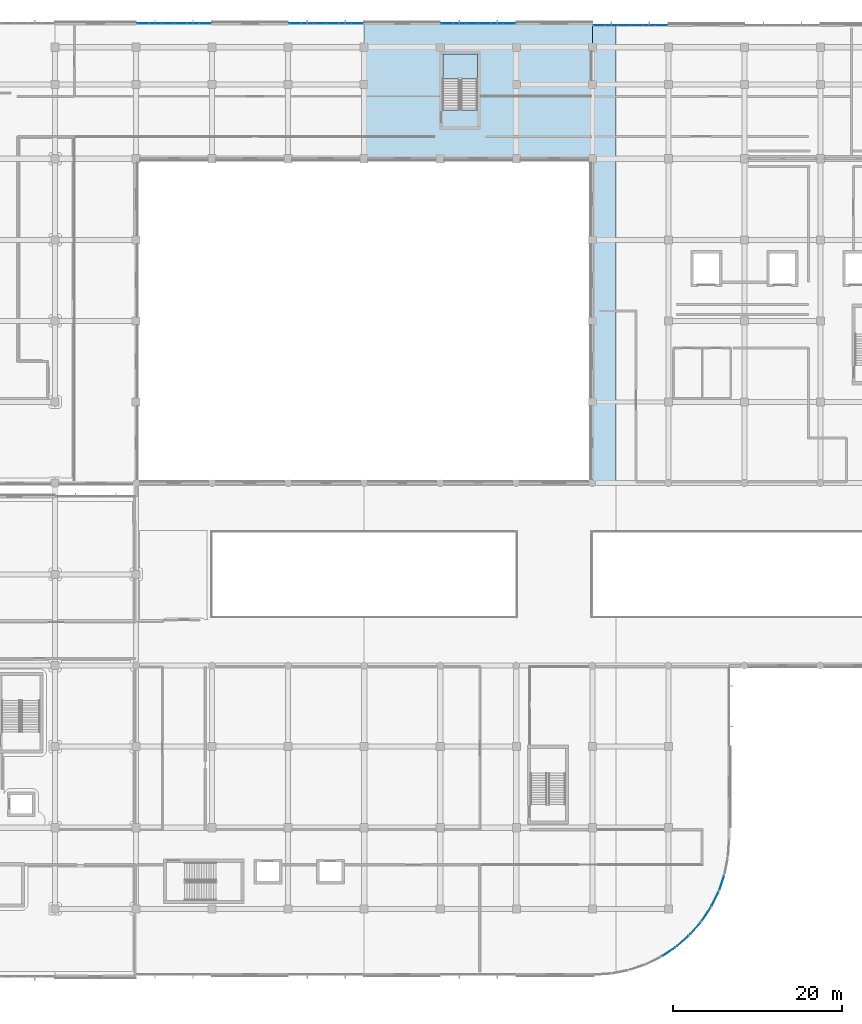
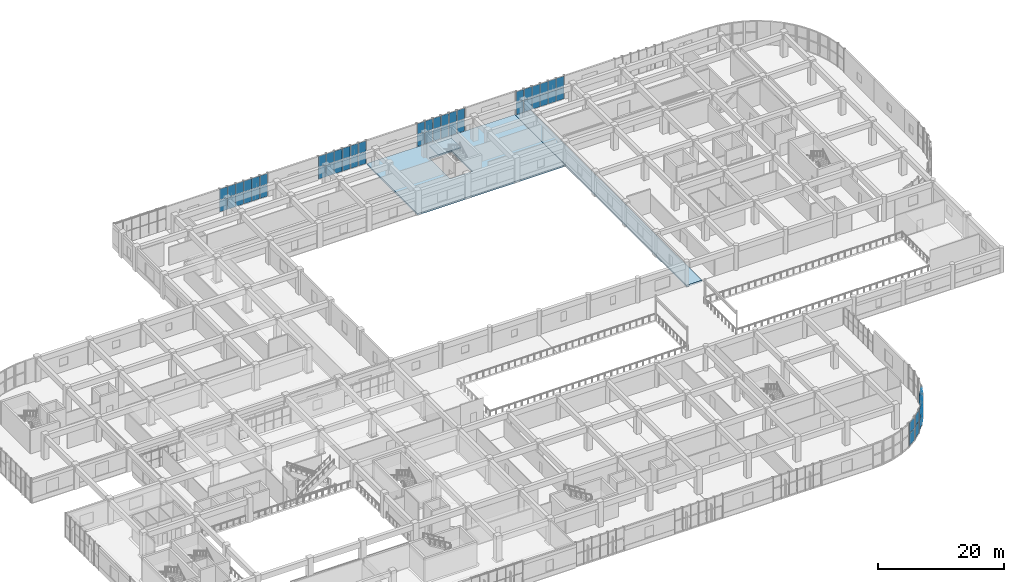
# One storey, part 47 of 86: 59 plates, 3 slabs, 11 elements without a shape of their own.
"""IFC4 building model written with IfcOpenShell, lengths in metres."""

import ifcopenshell
import ifcopenshell.guid

model = None  # the IFC model being written
_history = None  # IfcOwnerHistory: only IFC2X3 demands one
_inside = {}  # id of a spatial element -> (the spatial element, [elements in it])
_under = {}  # id of a project, library or spatial element -> (it, [spatial elements below it])
_declared = {}  # id of a project -> (the project, [libraries it declares])
_typed = {}  # id of a type object -> (the type object, [elements of that type])
_made_of = {}  # id of a material, layer set ... -> (it, [elements and type objects made of it])


def new_model(schema):
    """Start an empty IFC model of exactly this schema.

    Asked for "IFC4X3", IfcOpenShell would pick the latest addendum, in which some entities
    have other attributes; the version numbers below select the first issue.
    IFC2X3 requires an IfcOwnerHistory on every rooted entity: one is made here for all.
    """
    global model, _history
    if schema == "IFC4X3":
        model = ifcopenshell.file(schema_version=(4, 3, 0, 0))
    else:
        model = ifcopenshell.file(schema=schema)
    _inside.clear()
    _under.clear()
    _declared.clear()
    _typed.clear()
    _made_of.clear()
    _history = None
    if model.schema == "IFC2X3":
        org = make("IfcOrganization", Name="unknown")
        user = make(
            "IfcPersonAndOrganization",
            ThePerson=make("IfcPerson", FamilyName="unknown"),
            TheOrganization=org,
        )
        app = make(
            "IfcApplication",
            ApplicationDeveloper=org,
            Version="unknown",
            ApplicationFullName="unknown",
            ApplicationIdentifier="unknown",
        )
        _history = make(
            "IfcOwnerHistory",
            OwningUser=user,
            OwningApplication=app,
            ChangeAction="ADDED",
            CreationDate=0,
        )
    return model


def make(cls, **values):
    """One entity of the class cls with the attributes given. An attribute that is None is left unset."""
    return model.create_entity(
        cls, **{name: value for name, value in values.items() if value is not None}
    )


def rooted(cls, **values):
    """An entity with a GlobalId (a new one), such as an element, a storey or a relation."""
    return make(cls, GlobalId=ifcopenshell.guid.new(), OwnerHistory=_history, **values)


def si_unit(unit_type, name, prefix=None):
    """IfcSIUnit, for example si_unit("LENGTHUNIT", "METRE", prefix="MILLI")."""
    return make("IfcSIUnit", UnitType=unit_type, Prefix=prefix, Name=name)


def assignment(units):
    """IfcUnitAssignment: the units of a project."""
    return None if units is None else make("IfcUnitAssignment", Units=units)


def point(xyz):
    """IfcCartesianPoint."""
    return None if xyz is None else make("IfcCartesianPoint", Coordinates=xyz)


def direction(xyz):
    """IfcDirection."""
    return None if xyz is None else make("IfcDirection", DirectionRatios=xyz)


def frame(location, z_axis=None, x_axis=None):
    """IfcAxis2Placement3D, a coordinate frame: its origin and axes. An axis left out is left unset."""
    return make(
        "IfcAxis2Placement3D",
        Location=point(location),
        Axis=direction(z_axis),
        RefDirection=direction(x_axis),
    )


def frame_2d(location, x_axis=None):
    """IfcAxis2Placement2D, a coordinate frame in the plane: its origin and x axis."""
    return make(
        "IfcAxis2Placement2D", Location=point(location), RefDirection=direction(x_axis)
    )


def origin():
    """The frame at (0, 0, 0) with its axes left unset."""
    return frame((0.0, 0.0, 0.0))


def origin_2d():
    """The frame at (0, 0) in the plane with its x axis left unset."""
    return frame_2d((0.0, 0.0))


def place(relative_to, where):
    """IfcLocalPlacement: puts the frame where relative to a parent placement (None: the world)."""
    return make(
        "IfcLocalPlacement", PlacementRelTo=relative_to, RelativePlacement=where
    )


def context(
    kind, dimensions, precision=None, world=None, true_north=None, identifier=None
):
    """IfcGeometricRepresentationContext, for example the 3D "Model" context."""
    return make(
        "IfcGeometricRepresentationContext",
        ContextIdentifier=identifier,
        ContextType=kind,
        CoordinateSpaceDimension=dimensions,
        Precision=precision,
        WorldCoordinateSystem=world,
        TrueNorth=true_north,
    )


def subcontext(parent, identifier, kind, view, scale=None):
    """IfcGeometricRepresentationSubContext, for example "Body" below "Model"."""
    return make(
        "IfcGeometricRepresentationSubContext",
        ContextIdentifier=identifier,
        ContextType=kind,
        ParentContext=parent,
        TargetScale=scale,
        TargetView=view,
    )


def project(units=None, contexts=None):
    """IfcProject with its units and contexts."""
    return rooted(
        "IfcProject",
        Name="project",
        RepresentationContexts=contexts,
        UnitsInContext=assignment(units),
    )


def spatial(cls, under=None, at=None, **own):
    """A site, building, storey or space (cls), placed at a placement, below another one or the project."""
    s = rooted(cls, ObjectPlacement=at, **own)
    if under is not None:
        _under.setdefault(under.id(), (under, []))[1].append(s)
    return s


def polyline(points):
    """IfcPolyline through the points."""
    return make("IfcPolyline", Points=[point(p) for p in points])


def profile(cls, at=None, kind="AREA", **sizes):
    """A parametric profile (cls). Its sizes go by their IFC names, for example OverallWidth=200.0."""
    return make(cls, ProfileType=kind, Position=at, **sizes)


def rectangle(**sizes):
    """IfcRectangleProfileDef."""
    return profile("IfcRectangleProfileDef", **sizes)


def outline(outer, holes=None, kind="AREA"):
    """IfcArbitraryClosedProfileDef: a profile drawn as a closed curve; with holes, ...WithVoids."""
    if holes is None:
        return make("IfcArbitraryClosedProfileDef", ProfileType=kind, OuterCurve=outer)
    return make(
        "IfcArbitraryProfileDefWithVoids",
        ProfileType=kind,
        OuterCurve=outer,
        InnerCurves=holes,
    )


def extrude(swept, where, along, depth):
    """IfcExtrudedAreaSolid: the profile swept, set in the frame where, extruded along a direction by depth."""
    return make(
        "IfcExtrudedAreaSolid",
        SweptArea=swept,
        Position=where,
        ExtrudedDirection=direction(along),
        Depth=depth,
    )


def shape(context_of_items, identifier, shape_type, items):
    """IfcShapeRepresentation: the items that make up one representation, for example the "Body"."""
    return make(
        "IfcShapeRepresentation",
        ContextOfItems=context_of_items,
        RepresentationIdentifier=identifier,
        RepresentationType=shape_type,
        Items=items,
    )


def material(Name=None, Category=None):
    """IfcMaterial."""
    return make("IfcMaterial", Name=Name, Category=Category)


def layer(
    of_material, thickness, ventilated=None, Name=None, Category=None, Priority=None
):
    """IfcMaterialLayer: one layer of a wall or slab, of a material (None: an air gap)."""
    return make(
        "IfcMaterialLayer",
        Material=of_material,
        LayerThickness=thickness,
        IsVentilated=ventilated,
        Name=Name,
        Category=Category,
        Priority=Priority,
    )


def layer_set(layers, Name=None):
    """IfcMaterialLayerSet."""
    return make("IfcMaterialLayerSet", MaterialLayers=layers, LayerSetName=Name)


def made_of(thing, what):
    """Note that an element or type object is made of a material, layer set ...; save() writes the relation."""
    if what is not None:
        _made_of.setdefault(what.id(), (what, []))[1].append(thing)
    return thing


def type_object(cls, material=None, **own):
    """A type object (cls), such as IfcWallType, which elements share."""
    return made_of(rooted(cls, **own), material)


def element(
    cls,
    number,
    at=None,
    inside=None,
    cuts=None,
    type_object=None,
    material=None,
    context=None,
    identifier="Body",
    shape_type=None,
    held_by="IfcProductDefinitionShape",
    body=None,
    shapes=None,
    **own,
):
    """One element of the class cls, such as IfcWall. Its Tag is "e" and its number.

    at: its placement. inside: the storey or other place that contains it. cuts: it is an
    opening in that element (IfcRelVoidsElement). A single representation is given by context,
    identifier, shape_type and body (its items); several are given by shapes. held_by: the class
    of the entity that holds the representations. save() writes the other relations.
    """
    e = rooted(cls, Tag="e%d" % number, ObjectPlacement=at, **own)
    if body is not None:
        shapes = [shape(context, identifier, shape_type, body)]
    if shapes is not None:
        e.Representation = make(held_by, Representations=shapes)
    if inside is not None:
        _inside.setdefault(inside.id(), (inside, []))[1].append(e)
    if cuts is not None:
        rooted(
            "IfcRelVoidsElement", RelatingBuildingElement=cuts, RelatedOpeningElement=e
        )
    if type_object is not None:
        _typed.setdefault(type_object.id(), (type_object, []))[1].append(e)
    return made_of(e, material)


def aggregate(whole, parts):
    """IfcRelAggregates: a whole, such as a stair, and the parts it consists of."""
    return rooted("IfcRelAggregates", RelatingObject=whole, RelatedObjects=parts)


def save(model, path):
    """Write the relations noted so far, then the file.

    IfcRelAggregates (storeys below a building ...), IfcRelContainedInSpatialStructure (elements
    in a storey), IfcRelDefinesByType, IfcRelAssociatesMaterial and IfcRelDeclares: one each for
    every whole, place, type object, material and project.
    """
    for whole, parts in _under.values():
        aggregate(whole, parts)
    for where, things in _inside.values():
        rooted(
            "IfcRelContainedInSpatialStructure",
            RelatedElements=things,
            RelatingStructure=where,
        )
    for kind, things in _typed.values():
        rooted("IfcRelDefinesByType", RelatedObjects=things, RelatingType=kind)
    for what, things in _made_of.values():
        rooted("IfcRelAssociatesMaterial", RelatedObjects=things, RelatingMaterial=what)
    for by, libraries in _declared.values():
        rooted("IfcRelDeclares", RelatingContext=by, RelatedDefinitions=libraries)
    model.write(path)


model = new_model("IFC4")

# Units and contexts
model_context = context("Model", 3, precision=1e-05, world=origin(), true_north=direction((0.0, 1.0)))
body_context = subcontext(model_context, "Body", "Model", "MODEL_VIEW")
ifc_project = project(units=[si_unit("LENGTHUNIT", "METRE"), si_unit("AREAUNIT", "SQUARE_METRE"), si_unit("VOLUMEUNIT", "CUBIC_METRE"), si_unit("PLANEANGLEUNIT", "RADIAN"), si_unit("MASSUNIT", "GRAM", prefix="KILO")], contexts=[model_context])

# Site, building, storey
site_placement = place(None, origin())
site = spatial("IfcSite", under=ifc_project, at=site_placement, CompositionType="ELEMENT")
building_placement = place(site_placement, origin())
building = spatial("IfcBuilding", under=site, at=building_placement, Name="Cendralis Terraced Arcade", CompositionType="ELEMENT")
storey_placement = place(building_placement, frame((0.0, 0.0, 5.39990234375)))
storey = spatial("IfcBuildingStorey", under=building, at=storey_placement, Name="L01", CompositionType="ELEMENT", Elevation=5.39990234375)

# Curtain wall, plates
ifc_material_1 = material(Name="Anodised aluminium EN AW-6063 T6", Category="aluminium")
ifc_layer_1 = layer(ifc_material_1, 0.1201171875, Name="CW-STORE-B")
ifc_layer_set_1 = layer_set([ifc_layer_1], Name="Anodised aluminium EN AW-6063 T6")
curtain_wall_type_1 = type_object("IfcCurtainWallType", Name="CW-STORE-B", PredefinedType="USERDEFINED", material=ifc_layer_set_1)
curtain_wall_1_placement = place(storey_placement, origin())
curtain_wall_1 = element("IfcCurtainWall", 1, at=curtain_wall_1_placement, inside=storey, type_object=curtain_wall_type_1, Name="Exterior Storefront Glazing CW-L01-0051", ObjectType="STOREFRONT GLAZING", PredefinedType="USERDEFINED")
ifc_material_2 = material(Name="Tempered solar control laminated glass", Category="glass")
ifc_layer_2 = layer(ifc_material_2, 0.02392578125, Name="CW-STORE-B-PNL")
ifc_layer_set_2 = layer_set([ifc_layer_2], Name="Tempered solar control laminated glass")
plate_type_1 = type_object("IfcPlateType", Name="CW-STORE-B-PNL", PredefinedType="CURTAIN_PANEL", material=ifc_layer_set_2)
plate_1_placement = place(storey_placement, frame((68.038818359375, 114.39990234375, 0.05517578125), z_axis=(0.0, 0.0, 1.0), x_axis=(1.0, 0.0, 0.0)))
plate_1 = element("IfcPlate", 2, at=plate_1_placement, type_object=plate_type_1, Name="CW-S2 panel 1.1", PredefinedType="CURTAIN_PANEL", context=body_context, shape_type="SweptSolid", body=[
    extrude(rectangle(XDim=1.387451171875, YDim=0.02392578125, at=origin_2d()), origin(), (0.0, 0.0, 1.0), 2.260009765625),
])
plate_2_placement = place(storey_placement, frame((68.038818359375, 114.39990234375, 2.3701171875), z_axis=(0.0, 0.0, 1.0), x_axis=(1.0, 0.0, 0.0)))
plate_2 = element("IfcPlate", 3, at=plate_2_placement, type_object=plate_type_1, Name="CW-S2 panel 1.2", PredefinedType="CURTAIN_PANEL", context=body_context, shape_type="SweptSolid", body=[
    extrude(rectangle(XDim=1.387451171875, YDim=0.02392578125, at=origin_2d()), origin(), (0.0, 0.0, 1.0), 2.079833984375),
])
plate_3_placement = place(storey_placement, frame((69.4951171875, 114.39990234375, 0.05517578125), z_axis=(0.0, 0.0, 1.0), x_axis=(1.0, 0.0, 0.0)))
plate_3 = element("IfcPlate", 4, at=plate_3_placement, type_object=plate_type_1, Name="CW-S2 panel 2.1", PredefinedType="CURTAIN_PANEL", context=body_context, shape_type="SweptSolid", body=[
    extrude(rectangle(XDim=1.4150390625, YDim=0.02392578125, at=origin_2d()), origin(), (0.0, 0.0, 1.0), 2.260009765625),
])
plate_4_placement = place(storey_placement, frame((69.4951171875, 114.39990234375, 2.3701171875), z_axis=(0.0, 0.0, 1.0), x_axis=(1.0, 0.0, 0.0)))
plate_4 = element("IfcPlate", 5, at=plate_4_placement, type_object=plate_type_1, Name="CW-S2 panel 2.2", PredefinedType="CURTAIN_PANEL", context=body_context, shape_type="SweptSolid", body=[
    extrude(rectangle(XDim=1.4150390625, YDim=0.02392578125, at=origin_2d()), origin(), (0.0, 0.0, 1.0), 2.079833984375),
])
plate_5_placement = place(storey_placement, frame((70.965087890625, 114.39990234375, 0.05517578125), z_axis=(0.0, 0.0, 1.0), x_axis=(1.0, 0.0, 0.0)))
plate_5 = element("IfcPlate", 6, at=plate_5_placement, type_object=plate_type_1, Name="CW-S2 panel 3.1", PredefinedType="CURTAIN_PANEL", context=body_context, shape_type="SweptSolid", body=[
    extrude(rectangle(XDim=1.4150390625, YDim=0.02392578125, at=origin_2d()), origin(), (0.0, 0.0, 1.0), 2.260009765625),
])
plate_6_placement = place(storey_placement, frame((70.965087890625, 114.39990234375, 2.3701171875), z_axis=(0.0, 0.0, 1.0), x_axis=(1.0, 0.0, 0.0)))
plate_6 = element("IfcPlate", 7, at=plate_6_placement, type_object=plate_type_1, Name="CW-S2 panel 3.2", PredefinedType="CURTAIN_PANEL", context=body_context, shape_type="SweptSolid", body=[
    extrude(rectangle(XDim=1.4150390625, YDim=0.02392578125, at=origin_2d()), origin(), (0.0, 0.0, 1.0), 2.079833984375),
])
plate_7_placement = place(storey_placement, frame((72.43505859375, 114.39990234375, 0.05517578125), z_axis=(0.0, 0.0, 1.0), x_axis=(1.0, 0.0, 0.0)))
plate_7 = element("IfcPlate", 8, at=plate_7_placement, type_object=plate_type_1, Name="CW-S2 panel 4.1", PredefinedType="CURTAIN_PANEL", context=body_context, shape_type="SweptSolid", body=[
    extrude(rectangle(XDim=1.4150390625, YDim=0.02392578125, at=origin_2d()), origin(), (0.0, 0.0, 1.0), 2.260009765625),
])
plate_8_placement = place(storey_placement, frame((72.43505859375, 114.39990234375, 2.3701171875), z_axis=(0.0, 0.0, 1.0), x_axis=(1.0, 0.0, 0.0)))
plate_8 = element("IfcPlate", 9, at=plate_8_placement, type_object=plate_type_1, Name="CW-S2 panel 4.2", PredefinedType="CURTAIN_PANEL", context=body_context, shape_type="SweptSolid", body=[
    extrude(rectangle(XDim=1.4150390625, YDim=0.02392578125, at=origin_2d()), origin(), (0.0, 0.0, 1.0), 2.079833984375),
])
plate_9_placement = place(storey_placement, frame((73.905029296875, 114.39990234375, 0.05517578125), z_axis=(0.0, 0.0, 1.0), x_axis=(1.0, 0.0, 0.0)))
plate_9 = element("IfcPlate", 10, at=plate_9_placement, type_object=plate_type_1, Name="CW-S2 panel 5.1", PredefinedType="CURTAIN_PANEL", context=body_context, shape_type="SweptSolid", body=[
    extrude(rectangle(XDim=1.4150390625, YDim=0.02392578125, at=origin_2d()), origin(), (0.0, 0.0, 1.0), 2.260009765625),
])
plate_10_placement = place(storey_placement, frame((73.905029296875, 114.39990234375, 2.3701171875), z_axis=(0.0, 0.0, 1.0), x_axis=(1.0, 0.0, 0.0)))
plate_10 = element("IfcPlate", 11, at=plate_10_placement, type_object=plate_type_1, Name="CW-S2 panel 5.2", PredefinedType="CURTAIN_PANEL", context=body_context, shape_type="SweptSolid", body=[
    extrude(rectangle(XDim=1.4150390625, YDim=0.02392578125, at=origin_2d()), origin(), (0.0, 0.0, 1.0), 2.079833984375),
])
plate_11_placement = place(storey_placement, frame((75.361328125, 114.39990234375, 0.05517578125), z_axis=(0.0, 0.0, 1.0), x_axis=(1.0, 0.0, 0.0)))
plate_11 = element("IfcPlate", 12, at=plate_11_placement, type_object=plate_type_1, Name="CW-S2 panel 6.1", PredefinedType="CURTAIN_PANEL", context=body_context, shape_type="SweptSolid", body=[
    extrude(rectangle(XDim=1.387451171875, YDim=0.02392578125, at=origin_2d()), origin(), (0.0, 0.0, 1.0), 2.260009765625),
])
plate_12_placement = place(storey_placement, frame((75.361328125, 114.39990234375, 2.3701171875), z_axis=(0.0, 0.0, 1.0), x_axis=(1.0, 0.0, 0.0)))
plate_12 = element("IfcPlate", 13, at=plate_12_placement, type_object=plate_type_1, Name="CW-S2 panel 6.2", PredefinedType="CURTAIN_PANEL", context=body_context, shape_type="SweptSolid", body=[
    extrude(rectangle(XDim=1.387451171875, YDim=0.02392578125, at=origin_2d()), origin(), (0.0, 0.0, 1.0), 2.079833984375),
])
aggregate(curtain_wall_1, [plate_1, plate_2, plate_3, plate_4, plate_5, plate_6, plate_7, plate_8, plate_9, plate_10, plate_11, plate_12])

curtain_wall_2_placement = place(storey_placement, origin())
curtain_wall_2 = element("IfcCurtainWall", 14, at=curtain_wall_2_placement, inside=storey, type_object=curtain_wall_type_1, Name="Exterior Storefront Glazing CW-L01-0052", ObjectType="STOREFRONT GLAZING", PredefinedType="USERDEFINED")
plate_13_placement = place(storey_placement, frame((86.038818359375, 114.39990234375, 0.05517578125), z_axis=(0.0, 0.0, 1.0), x_axis=(1.0, 0.0, 0.0)))
plate_13 = element("IfcPlate", 15, at=plate_13_placement, type_object=plate_type_1, Name="CW-S2 panel 1.1", PredefinedType="CURTAIN_PANEL", context=body_context, shape_type="SweptSolid", body=[
    extrude(rectangle(XDim=1.387451171875, YDim=0.02392578125, at=origin_2d()), origin(), (0.0, 0.0, 1.0), 2.260009765625),
])
plate_14_placement = place(storey_placement, frame((86.038818359375, 114.39990234375, 2.3701171875), z_axis=(0.0, 0.0, 1.0), x_axis=(1.0, 0.0, 0.0)))
plate_14 = element("IfcPlate", 16, at=plate_14_placement, type_object=plate_type_1, Name="CW-S2 panel 1.2", PredefinedType="CURTAIN_PANEL", context=body_context, shape_type="SweptSolid", body=[
    extrude(rectangle(XDim=1.387451171875, YDim=0.02392578125, at=origin_2d()), origin(), (0.0, 0.0, 1.0), 2.079833984375),
])
plate_15_placement = place(storey_placement, frame((87.4951171875, 114.39990234375, 0.05517578125), z_axis=(0.0, 0.0, 1.0), x_axis=(1.0, 0.0, 0.0)))
plate_15 = element("IfcPlate", 17, at=plate_15_placement, type_object=plate_type_1, Name="CW-S2 panel 2.1", PredefinedType="CURTAIN_PANEL", context=body_context, shape_type="SweptSolid", body=[
    extrude(rectangle(XDim=1.4150390625, YDim=0.02392578125, at=origin_2d()), origin(), (0.0, 0.0, 1.0), 2.260009765625),
])
plate_16_placement = place(storey_placement, frame((87.4951171875, 114.39990234375, 2.3701171875), z_axis=(0.0, 0.0, 1.0), x_axis=(1.0, 0.0, 0.0)))
plate_16 = element("IfcPlate", 18, at=plate_16_placement, type_object=plate_type_1, Name="CW-S2 panel 2.2", PredefinedType="CURTAIN_PANEL", context=body_context, shape_type="SweptSolid", body=[
    extrude(rectangle(XDim=1.4150390625, YDim=0.02392578125, at=origin_2d()), origin(), (0.0, 0.0, 1.0), 2.079833984375),
])
plate_17_placement = place(storey_placement, frame((88.965087890625, 114.39990234375, 0.05517578125), z_axis=(0.0, 0.0, 1.0), x_axis=(1.0, 0.0, 0.0)))
plate_17 = element("IfcPlate", 19, at=plate_17_placement, type_object=plate_type_1, Name="CW-S2 panel 3.1", PredefinedType="CURTAIN_PANEL", context=body_context, shape_type="SweptSolid", body=[
    extrude(rectangle(XDim=1.4150390625, YDim=0.02392578125, at=origin_2d()), origin(), (0.0, 0.0, 1.0), 2.260009765625),
])
plate_18_placement = place(storey_placement, frame((88.965087890625, 114.39990234375, 2.3701171875), z_axis=(0.0, 0.0, 1.0), x_axis=(1.0, 0.0, 0.0)))
plate_18 = element("IfcPlate", 20, at=plate_18_placement, type_object=plate_type_1, Name="CW-S2 panel 3.2", PredefinedType="CURTAIN_PANEL", context=body_context, shape_type="SweptSolid", body=[
    extrude(rectangle(XDim=1.4150390625, YDim=0.02392578125, at=origin_2d()), origin(), (0.0, 0.0, 1.0), 2.079833984375),
])
plate_19_placement = place(storey_placement, frame((90.43505859375, 114.39990234375, 0.05517578125), z_axis=(0.0, 0.0, 1.0), x_axis=(1.0, 0.0, 0.0)))
plate_19 = element("IfcPlate", 21, at=plate_19_placement, type_object=plate_type_1, Name="CW-S2 panel 4.1", PredefinedType="CURTAIN_PANEL", context=body_context, shape_type="SweptSolid", body=[
    extrude(rectangle(XDim=1.4150390625, YDim=0.02392578125, at=origin_2d()), origin(), (0.0, 0.0, 1.0), 2.260009765625),
])
plate_20_placement = place(storey_placement, frame((90.43505859375, 114.39990234375, 2.3701171875), z_axis=(0.0, 0.0, 1.0), x_axis=(1.0, 0.0, 0.0)))
plate_20 = element("IfcPlate", 22, at=plate_20_placement, type_object=plate_type_1, Name="CW-S2 panel 4.2", PredefinedType="CURTAIN_PANEL", context=body_context, shape_type="SweptSolid", body=[
    extrude(rectangle(XDim=1.4150390625, YDim=0.02392578125, at=origin_2d()), origin(), (0.0, 0.0, 1.0), 2.079833984375),
])
plate_21_placement = place(storey_placement, frame((91.905029296875, 114.39990234375, 0.05517578125), z_axis=(0.0, 0.0, 1.0), x_axis=(1.0, 0.0, 0.0)))
plate_21 = element("IfcPlate", 23, at=plate_21_placement, type_object=plate_type_1, Name="CW-S2 panel 5.1", PredefinedType="CURTAIN_PANEL", context=body_context, shape_type="SweptSolid", body=[
    extrude(rectangle(XDim=1.4150390625, YDim=0.02392578125, at=origin_2d()), origin(), (0.0, 0.0, 1.0), 2.260009765625),
])
plate_22_placement = place(storey_placement, frame((91.905029296875, 114.39990234375, 2.3701171875), z_axis=(0.0, 0.0, 1.0), x_axis=(1.0, 0.0, 0.0)))
plate_22 = element("IfcPlate", 24, at=plate_22_placement, type_object=plate_type_1, Name="CW-S2 panel 5.2", PredefinedType="CURTAIN_PANEL", context=body_context, shape_type="SweptSolid", body=[
    extrude(rectangle(XDim=1.4150390625, YDim=0.02392578125, at=origin_2d()), origin(), (0.0, 0.0, 1.0), 2.079833984375),
])
plate_23_placement = place(storey_placement, frame((93.361328125, 114.39990234375, 0.05517578125), z_axis=(0.0, 0.0, 1.0), x_axis=(1.0, 0.0, 0.0)))
plate_23 = element("IfcPlate", 25, at=plate_23_placement, type_object=plate_type_1, Name="CW-S2 panel 6.1", PredefinedType="CURTAIN_PANEL", context=body_context, shape_type="SweptSolid", body=[
    extrude(rectangle(XDim=1.387451171875, YDim=0.02392578125, at=origin_2d()), origin(), (0.0, 0.0, 1.0), 2.260009765625),
])
plate_24_placement = place(storey_placement, frame((93.361328125, 114.39990234375, 2.3701171875), z_axis=(0.0, 0.0, 1.0), x_axis=(1.0, 0.0, 0.0)))
plate_24 = element("IfcPlate", 26, at=plate_24_placement, type_object=plate_type_1, Name="CW-S2 panel 6.2", PredefinedType="CURTAIN_PANEL", context=body_context, shape_type="SweptSolid", body=[
    extrude(rectangle(XDim=1.387451171875, YDim=0.02392578125, at=origin_2d()), origin(), (0.0, 0.0, 1.0), 2.079833984375),
])
aggregate(curtain_wall_2, [plate_13, plate_14, plate_15, plate_16, plate_17, plate_18, plate_19, plate_20, plate_21, plate_22, plate_23, plate_24])

curtain_wall_3_placement = place(storey_placement, origin())
curtain_wall_3 = element("IfcCurtainWall", 27, at=curtain_wall_3_placement, inside=storey, type_object=curtain_wall_type_1, Name="Exterior Storefront Glazing CW-L01-0053", ObjectType="STOREFRONT GLAZING", PredefinedType="USERDEFINED")
plate_25_placement = place(storey_placement, frame((104.038818359375, 114.39990234375, 0.05517578125), z_axis=(0.0, 0.0, 1.0), x_axis=(1.0, 0.0, 0.0)))
plate_25 = element("IfcPlate", 28, at=plate_25_placement, type_object=plate_type_1, Name="CW-S2 panel 1.1", PredefinedType="CURTAIN_PANEL", context=body_context, shape_type="SweptSolid", body=[
    extrude(rectangle(XDim=1.387451171875, YDim=0.02392578125, at=origin_2d()), origin(), (0.0, 0.0, 1.0), 2.260009765625),
])
plate_26_placement = place(storey_placement, frame((104.038818359375, 114.39990234375, 2.3701171875), z_axis=(0.0, 0.0, 1.0), x_axis=(1.0, 0.0, 0.0)))
plate_26 = element("IfcPlate", 29, at=plate_26_placement, type_object=plate_type_1, Name="CW-S2 panel 1.2", PredefinedType="CURTAIN_PANEL", context=body_context, shape_type="SweptSolid", body=[
    extrude(rectangle(XDim=1.387451171875, YDim=0.02392578125, at=origin_2d()), origin(), (0.0, 0.0, 1.0), 2.079833984375),
])
plate_27_placement = place(storey_placement, frame((105.4951171875, 114.39990234375, 0.05517578125), z_axis=(0.0, 0.0, 1.0), x_axis=(1.0, 0.0, 0.0)))
plate_27 = element("IfcPlate", 30, at=plate_27_placement, type_object=plate_type_1, Name="CW-S2 panel 2.1", PredefinedType="CURTAIN_PANEL", context=body_context, shape_type="SweptSolid", body=[
    extrude(rectangle(XDim=1.4150390625, YDim=0.02392578125, at=origin_2d()), origin(), (0.0, 0.0, 1.0), 2.260009765625),
])
plate_28_placement = place(storey_placement, frame((105.4951171875, 114.39990234375, 2.3701171875), z_axis=(0.0, 0.0, 1.0), x_axis=(1.0, 0.0, 0.0)))
plate_28 = element("IfcPlate", 31, at=plate_28_placement, type_object=plate_type_1, Name="CW-S2 panel 2.2", PredefinedType="CURTAIN_PANEL", context=body_context, shape_type="SweptSolid", body=[
    extrude(rectangle(XDim=1.4150390625, YDim=0.02392578125, at=origin_2d()), origin(), (0.0, 0.0, 1.0), 2.079833984375),
])
plate_29_placement = place(storey_placement, frame((106.965087890625, 114.39990234375, 0.05517578125), z_axis=(0.0, 0.0, 1.0), x_axis=(1.0, 0.0, 0.0)))
plate_29 = element("IfcPlate", 32, at=plate_29_placement, type_object=plate_type_1, Name="CW-S2 panel 3.1", PredefinedType="CURTAIN_PANEL", context=body_context, shape_type="SweptSolid", body=[
    extrude(rectangle(XDim=1.4150390625, YDim=0.02392578125, at=origin_2d()), origin(), (0.0, 0.0, 1.0), 2.260009765625),
])
plate_30_placement = place(storey_placement, frame((106.965087890625, 114.39990234375, 2.3701171875), z_axis=(0.0, 0.0, 1.0), x_axis=(1.0, 0.0, 0.0)))
plate_30 = element("IfcPlate", 33, at=plate_30_placement, type_object=plate_type_1, Name="CW-S2 panel 3.2", PredefinedType="CURTAIN_PANEL", context=body_context, shape_type="SweptSolid", body=[
    extrude(rectangle(XDim=1.4150390625, YDim=0.02392578125, at=origin_2d()), origin(), (0.0, 0.0, 1.0), 2.079833984375),
])
plate_31_placement = place(storey_placement, frame((108.43505859375, 114.39990234375, 0.05517578125), z_axis=(0.0, 0.0, 1.0), x_axis=(1.0, 0.0, 0.0)))
plate_31 = element("IfcPlate", 34, at=plate_31_placement, type_object=plate_type_1, Name="CW-S2 panel 4.1", PredefinedType="CURTAIN_PANEL", context=body_context, shape_type="SweptSolid", body=[
    extrude(rectangle(XDim=1.4150390625, YDim=0.02392578125, at=origin_2d()), origin(), (0.0, 0.0, 1.0), 2.260009765625),
])
plate_32_placement = place(storey_placement, frame((108.43505859375, 114.39990234375, 2.3701171875), z_axis=(0.0, 0.0, 1.0), x_axis=(1.0, 0.0, 0.0)))
plate_32 = element("IfcPlate", 35, at=plate_32_placement, type_object=plate_type_1, Name="CW-S2 panel 4.2", PredefinedType="CURTAIN_PANEL", context=body_context, shape_type="SweptSolid", body=[
    extrude(rectangle(XDim=1.4150390625, YDim=0.02392578125, at=origin_2d()), origin(), (0.0, 0.0, 1.0), 2.079833984375),
])
plate_33_placement = place(storey_placement, frame((109.905029296875, 114.39990234375, 0.05517578125), z_axis=(0.0, 0.0, 1.0), x_axis=(1.0, 0.0, 0.0)))
plate_33 = element("IfcPlate", 36, at=plate_33_placement, type_object=plate_type_1, Name="CW-S2 panel 5.1", PredefinedType="CURTAIN_PANEL", context=body_context, shape_type="SweptSolid", body=[
    extrude(rectangle(XDim=1.4150390625, YDim=0.02392578125, at=origin_2d()), origin(), (0.0, 0.0, 1.0), 2.260009765625),
])
plate_34_placement = place(storey_placement, frame((109.905029296875, 114.39990234375, 2.3701171875), z_axis=(0.0, 0.0, 1.0), x_axis=(1.0, 0.0, 0.0)))
plate_34 = element("IfcPlate", 37, at=plate_34_placement, type_object=plate_type_1, Name="CW-S2 panel 5.2", PredefinedType="CURTAIN_PANEL", context=body_context, shape_type="SweptSolid", body=[
    extrude(rectangle(XDim=1.4150390625, YDim=0.02392578125, at=origin_2d()), origin(), (0.0, 0.0, 1.0), 2.079833984375),
])
plate_35_placement = place(storey_placement, frame((111.361328125, 114.39990234375, 0.05517578125), z_axis=(0.0, 0.0, 1.0), x_axis=(1.0, 0.0, 0.0)))
plate_35 = element("IfcPlate", 38, at=plate_35_placement, type_object=plate_type_1, Name="CW-S2 panel 6.1", PredefinedType="CURTAIN_PANEL", context=body_context, shape_type="SweptSolid", body=[
    extrude(rectangle(XDim=1.387451171875, YDim=0.02392578125, at=origin_2d()), origin(), (0.0, 0.0, 1.0), 2.260009765625),
])
plate_36_placement = place(storey_placement, frame((111.361328125, 114.39990234375, 2.3701171875), z_axis=(0.0, 0.0, 1.0), x_axis=(1.0, 0.0, 0.0)))
plate_36 = element("IfcPlate", 39, at=plate_36_placement, type_object=plate_type_1, Name="CW-S2 panel 6.2", PredefinedType="CURTAIN_PANEL", context=body_context, shape_type="SweptSolid", body=[
    extrude(rectangle(XDim=1.387451171875, YDim=0.02392578125, at=origin_2d()), origin(), (0.0, 0.0, 1.0), 2.079833984375),
])
aggregate(curtain_wall_3, [plate_25, plate_26, plate_27, plate_28, plate_29, plate_30, plate_31, plate_32, plate_33, plate_34, plate_35, plate_36])

curtain_wall_4_placement = place(storey_placement, origin())
curtain_wall_4 = element("IfcCurtainWall", 40, at=curtain_wall_4_placement, inside=storey, type_object=curtain_wall_type_1, Name="Exterior Storefront Glazing CW-L01-0054", ObjectType="STOREFRONT GLAZING", PredefinedType="USERDEFINED")
plate_37_placement = place(storey_placement, frame((122.038818359375, 114.199951171875, 0.05517578125), z_axis=(0.0, 0.0, 1.0), x_axis=(1.0, 0.0, 0.0)))
plate_37 = element("IfcPlate", 41, at=plate_37_placement, type_object=plate_type_1, Name="CW-S2 panel 1.1", PredefinedType="CURTAIN_PANEL", context=body_context, shape_type="SweptSolid", body=[
    extrude(rectangle(XDim=1.387451171875, YDim=0.02392578125, at=origin_2d()), origin(), (0.0, 0.0, 1.0), 2.260009765625),
])
plate_38_placement = place(storey_placement, frame((122.038818359375, 114.199951171875, 2.3701171875), z_axis=(0.0, 0.0, 1.0), x_axis=(1.0, 0.0, 0.0)))
plate_38 = element("IfcPlate", 42, at=plate_38_placement, type_object=plate_type_1, Name="CW-S2 panel 1.2", PredefinedType="CURTAIN_PANEL", context=body_context, shape_type="SweptSolid", body=[
    extrude(rectangle(XDim=1.387451171875, YDim=0.02392578125, at=origin_2d()), origin(), (0.0, 0.0, 1.0), 2.079833984375),
])
plate_39_placement = place(storey_placement, frame((123.4951171875, 114.199951171875, 0.05517578125), z_axis=(0.0, 0.0, 1.0), x_axis=(1.0, 0.0, 0.0)))
plate_39 = element("IfcPlate", 43, at=plate_39_placement, type_object=plate_type_1, Name="CW-S2 panel 2.1", PredefinedType="CURTAIN_PANEL", context=body_context, shape_type="SweptSolid", body=[
    extrude(rectangle(XDim=1.4150390625, YDim=0.02392578125, at=origin_2d()), origin(), (0.0, 0.0, 1.0), 2.260009765625),
])
plate_40_placement = place(storey_placement, frame((123.4951171875, 114.199951171875, 2.3701171875), z_axis=(0.0, 0.0, 1.0), x_axis=(1.0, 0.0, 0.0)))
plate_40 = element("IfcPlate", 44, at=plate_40_placement, type_object=plate_type_1, Name="CW-S2 panel 2.2", PredefinedType="CURTAIN_PANEL", context=body_context, shape_type="SweptSolid", body=[
    extrude(rectangle(XDim=1.4150390625, YDim=0.02392578125, at=origin_2d()), origin(), (0.0, 0.0, 1.0), 2.079833984375),
])
plate_41_placement = place(storey_placement, frame((124.965087890625, 114.199951171875, 0.05517578125), z_axis=(0.0, 0.0, 1.0), x_axis=(1.0, 0.0, 0.0)))
plate_41 = element("IfcPlate", 45, at=plate_41_placement, type_object=plate_type_1, Name="CW-S2 panel 3.1", PredefinedType="CURTAIN_PANEL", context=body_context, shape_type="SweptSolid", body=[
    extrude(rectangle(XDim=1.4150390625, YDim=0.02392578125, at=origin_2d()), origin(), (0.0, 0.0, 1.0), 2.260009765625),
])
plate_42_placement = place(storey_placement, frame((124.965087890625, 114.199951171875, 2.3701171875), z_axis=(0.0, 0.0, 1.0), x_axis=(1.0, 0.0, 0.0)))
plate_42 = element("IfcPlate", 46, at=plate_42_placement, type_object=plate_type_1, Name="CW-S2 panel 3.2", PredefinedType="CURTAIN_PANEL", context=body_context, shape_type="SweptSolid", body=[
    extrude(rectangle(XDim=1.4150390625, YDim=0.02392578125, at=origin_2d()), origin(), (0.0, 0.0, 1.0), 2.079833984375),
])
plate_43_placement = place(storey_placement, frame((126.43505859375, 114.199951171875, 0.05517578125), z_axis=(0.0, 0.0, 1.0), x_axis=(1.0, 0.0, 0.0)))
plate_43 = element("IfcPlate", 47, at=plate_43_placement, type_object=plate_type_1, Name="CW-S2 panel 4.1", PredefinedType="CURTAIN_PANEL", context=body_context, shape_type="SweptSolid", body=[
    extrude(rectangle(XDim=1.4150390625, YDim=0.02392578125, at=origin_2d()), origin(), (0.0, 0.0, 1.0), 2.260009765625),
])
plate_44_placement = place(storey_placement, frame((126.43505859375, 114.199951171875, 2.3701171875), z_axis=(0.0, 0.0, 1.0), x_axis=(1.0, 0.0, 0.0)))
plate_44 = element("IfcPlate", 48, at=plate_44_placement, type_object=plate_type_1, Name="CW-S2 panel 4.2", PredefinedType="CURTAIN_PANEL", context=body_context, shape_type="SweptSolid", body=[
    extrude(rectangle(XDim=1.4150390625, YDim=0.02392578125, at=origin_2d()), origin(), (0.0, 0.0, 1.0), 2.079833984375),
])
plate_45_placement = place(storey_placement, frame((127.905029296875, 114.199951171875, 0.05517578125), z_axis=(0.0, 0.0, 1.0), x_axis=(1.0, 0.0, 0.0)))
plate_45 = element("IfcPlate", 49, at=plate_45_placement, type_object=plate_type_1, Name="CW-S2 panel 5.1", PredefinedType="CURTAIN_PANEL", context=body_context, shape_type="SweptSolid", body=[
    extrude(rectangle(XDim=1.4150390625, YDim=0.02392578125, at=origin_2d()), origin(), (0.0, 0.0, 1.0), 2.260009765625),
])
plate_46_placement = place(storey_placement, frame((127.905029296875, 114.199951171875, 2.3701171875), z_axis=(0.0, 0.0, 1.0), x_axis=(1.0, 0.0, 0.0)))
plate_46 = element("IfcPlate", 50, at=plate_46_placement, type_object=plate_type_1, Name="CW-S2 panel 5.2", PredefinedType="CURTAIN_PANEL", context=body_context, shape_type="SweptSolid", body=[
    extrude(rectangle(XDim=1.4150390625, YDim=0.02392578125, at=origin_2d()), origin(), (0.0, 0.0, 1.0), 2.079833984375),
])
plate_47_placement = place(storey_placement, frame((129.361328125, 114.199951171875, 0.05517578125), z_axis=(0.0, 0.0, 1.0), x_axis=(1.0, 0.0, 0.0)))
plate_47 = element("IfcPlate", 51, at=plate_47_placement, type_object=plate_type_1, Name="CW-S2 panel 6.1", PredefinedType="CURTAIN_PANEL", context=body_context, shape_type="SweptSolid", body=[
    extrude(rectangle(XDim=1.387451171875, YDim=0.02392578125, at=origin_2d()), origin(), (0.0, 0.0, 1.0), 2.260009765625),
])
plate_48_placement = place(storey_placement, frame((129.361328125, 114.199951171875, 2.3701171875), z_axis=(0.0, 0.0, 1.0), x_axis=(1.0, 0.0, 0.0)))
plate_48 = element("IfcPlate", 52, at=plate_48_placement, type_object=plate_type_1, Name="CW-S2 panel 6.2", PredefinedType="CURTAIN_PANEL", context=body_context, shape_type="SweptSolid", body=[
    extrude(rectangle(XDim=1.387451171875, YDim=0.02392578125, at=origin_2d()), origin(), (0.0, 0.0, 1.0), 2.079833984375),
])
aggregate(curtain_wall_4, [plate_37, plate_38, plate_39, plate_40, plate_41, plate_42, plate_43, plate_44, plate_45, plate_46, plate_47, plate_48])

# Curtain wall, plate
ifc_layer_3 = layer(ifc_material_1, 0.179931640625, Name="CW-UNIT-A")
ifc_layer_set_3 = layer_set([ifc_layer_3], Name="Anodised aluminium EN AW-6063 T6")
curtain_wall_type_2 = type_object("IfcCurtainWallType", Name="CW-UNIT-A", PredefinedType="USERDEFINED", material=ifc_layer_set_3)
curtain_wall_5_placement = place(storey_placement, origin())
curtain_wall_5 = element("IfcCurtainWall", 53, at=curtain_wall_5_placement, inside=storey, type_object=curtain_wall_type_2, Name="Exterior Unitised Facade CW-L01-0080", ObjectType="UNITISED FACADE", PredefinedType="USERDEFINED")
ifc_layer_4 = layer(ifc_material_2, 0.035888671875, Name="CW-UNIT-A-PNL")
ifc_layer_set_4 = layer_set([ifc_layer_4], Name="Tempered solar control laminated glass")
plate_type_2 = type_object("IfcPlateType", Name="CW-UNIT-A-PNL", PredefinedType="CURTAIN_PANEL", material=ifc_layer_set_4)
plate_49_placement = place(storey_placement, frame((136.5185546875, 12.66796875, 0.065185546875), z_axis=(0.0, 0.0, 1.0), x_axis=(-0.321445350645, -0.94692813167, 0.0)))
plate_49 = element("IfcPlate", 54, at=plate_49_placement, type_object=plate_type_2, Name="CW-U1 panel 1.1", PredefinedType="CURTAIN_PANEL", context=body_context, shape_type="SweptSolid", body=[
    extrude(rectangle(XDim=1.782958984375, YDim=0.035888671875, at=origin_2d()), origin(), (0.0, 0.0, 1.0), 2.2451171875),
])
aggregate(curtain_wall_5, [plate_49])

# Curtain wall, plates
curtain_wall_6_placement = place(storey_placement, origin())
curtain_wall_6 = element("IfcCurtainWall", 55, at=curtain_wall_6_placement, inside=storey, type_object=curtain_wall_type_2, Name="Exterior Unitised Facade CW-L01-0081", ObjectType="UNITISED FACADE", PredefinedType="USERDEFINED")
plate_50_placement = place(storey_placement, frame((135.71923828125, 10.738525390625, 0.065185546875), z_axis=(0.0, 0.0, 1.0), x_axis=(-0.442293060122, -0.896870586522, 0.0)))
plate_50 = element("IfcPlate", 56, at=plate_50_placement, type_object=plate_type_2, Name="CW-U1 panel 1.1", PredefinedType="CURTAIN_PANEL", context=body_context, shape_type="SweptSolid", body=[
    extrude(rectangle(XDim=1.782958984375, YDim=0.035888671875, at=origin_2d()), origin(), (0.0, 0.0, 1.0), 2.2451171875),
])
plate_51_placement = place(storey_placement, frame((135.71923828125, 10.738525390625, 2.375244140625), z_axis=(0.0, 0.0, 1.0), x_axis=(-0.442293060122, -0.896870586522, 0.0)))
plate_51 = element("IfcPlate", 57, at=plate_51_placement, type_object=plate_type_2, Name="CW-U1 panel 1.2", PredefinedType="CURTAIN_PANEL", context=body_context, shape_type="SweptSolid", body=[
    extrude(rectangle(XDim=1.782958984375, YDim=0.035888671875, at=origin_2d()), origin(), (0.0, 0.0, 1.0), 2.06494140625),
])
aggregate(curtain_wall_6, [plate_50, plate_51])

curtain_wall_7_placement = place(storey_placement, origin())
curtain_wall_7 = element("IfcCurtainWall", 58, at=curtain_wall_7_placement, inside=storey, type_object=curtain_wall_type_2, Name="Exterior Unitised Facade CW-L01-0082", ObjectType="UNITISED FACADE", PredefinedType="USERDEFINED")
plate_52_placement = place(storey_placement, frame((134.675048828125, 8.929931640625, 0.065185546875), z_axis=(0.0, 0.0, 1.0), x_axis=(-0.555532306305, -0.831494952872, 0.0)))
plate_52 = element("IfcPlate", 59, at=plate_52_placement, type_object=plate_type_2, Name="CW-U1 panel 1.1", PredefinedType="CURTAIN_PANEL", context=body_context, shape_type="SweptSolid", body=[
    extrude(rectangle(XDim=1.782958984375, YDim=0.035888671875, at=origin_2d()), origin(), (0.0, 0.0, 1.0), 2.2451171875),
])
plate_53_placement = place(storey_placement, frame((134.675048828125, 8.929931640625, 2.375244140625), z_axis=(0.0, 0.0, 1.0), x_axis=(-0.555532306305, -0.831494952872, 0.0)))
plate_53 = element("IfcPlate", 60, at=plate_53_placement, type_object=plate_type_2, Name="CW-U1 panel 1.2", PredefinedType="CURTAIN_PANEL", context=body_context, shape_type="SweptSolid", body=[
    extrude(rectangle(XDim=1.782958984375, YDim=0.035888671875, at=origin_2d()), origin(), (0.0, 0.0, 1.0), 2.06494140625),
])
aggregate(curtain_wall_7, [plate_52, plate_53])

curtain_wall_8_placement = place(storey_placement, origin())
curtain_wall_8 = element("IfcCurtainWall", 61, at=curtain_wall_8_placement, inside=storey, type_object=curtain_wall_type_2, Name="Exterior Unitised Facade CW-L01-0083", ObjectType="UNITISED FACADE", PredefinedType="USERDEFINED")
plate_54_placement = place(storey_placement, frame((133.40380859375, 7.27294921875, 0.065185546875), z_axis=(0.0, 0.0, 1.0), x_axis=(-0.659410866, -0.751782754392, 0.0)))
plate_54 = element("IfcPlate", 62, at=plate_54_placement, type_object=plate_type_2, Name="CW-U1 panel 1.1", PredefinedType="CURTAIN_PANEL", context=body_context, shape_type="SweptSolid", body=[
    extrude(rectangle(XDim=1.782958984375, YDim=0.035888671875, at=origin_2d()), origin(), (0.0, 0.0, 1.0), 2.2451171875),
])
plate_55_placement = place(storey_placement, frame((133.40380859375, 7.27294921875, 2.375244140625), z_axis=(0.0, 0.0, 1.0), x_axis=(-0.659410866, -0.751782754392, 0.0)))
plate_55 = element("IfcPlate", 63, at=plate_55_placement, type_object=plate_type_2, Name="CW-U1 panel 1.2", PredefinedType="CURTAIN_PANEL", context=body_context, shape_type="SweptSolid", body=[
    extrude(rectangle(XDim=1.782958984375, YDim=0.035888671875, at=origin_2d()), origin(), (0.0, 0.0, 1.0), 2.06494140625),
])
aggregate(curtain_wall_8, [plate_54, plate_55])

curtain_wall_9_placement = place(storey_placement, origin())
curtain_wall_9 = element("IfcCurtainWall", 64, at=curtain_wall_9_placement, inside=storey, type_object=curtain_wall_type_2, Name="Exterior Unitised Facade CW-L01-0084", ObjectType="UNITISED FACADE", PredefinedType="USERDEFINED")
plate_56_placement = place(storey_placement, frame((131.927001953125, 5.79638671875, 0.065185546875), z_axis=(0.0, 0.0, 1.0), x_axis=(-0.751782754392, -0.659410866, 0.0)))
plate_56 = element("IfcPlate", 65, at=plate_56_placement, type_object=plate_type_2, Name="CW-U1 panel 1.1", PredefinedType="CURTAIN_PANEL", context=body_context, shape_type="SweptSolid", body=[
    extrude(rectangle(XDim=1.782958984375, YDim=0.035888671875, at=origin_2d()), origin(), (0.0, 0.0, 1.0), 2.2451171875),
])
plate_57_placement = place(storey_placement, frame((131.927001953125, 5.79638671875, 2.375244140625), z_axis=(0.0, 0.0, 1.0), x_axis=(-0.751782754392, -0.659410866, 0.0)))
plate_57 = element("IfcPlate", 66, at=plate_57_placement, type_object=plate_type_2, Name="CW-U1 panel 1.2", PredefinedType="CURTAIN_PANEL", context=body_context, shape_type="SweptSolid", body=[
    extrude(rectangle(XDim=1.782958984375, YDim=0.035888671875, at=origin_2d()), origin(), (0.0, 0.0, 1.0), 2.06494140625),
])
aggregate(curtain_wall_9, [plate_56, plate_57])

curtain_wall_10_placement = place(storey_placement, origin())
curtain_wall_10 = element("IfcCurtainWall", 67, at=curtain_wall_10_placement, inside=storey, type_object=curtain_wall_type_2, Name="Exterior Unitised Facade CW-L01-0085", ObjectType="UNITISED FACADE", PredefinedType="USERDEFINED")
plate_58_placement = place(storey_placement, frame((130.27001953125, 4.52490234375, 0.065185546875), z_axis=(0.0, 0.0, 1.0), x_axis=(-0.831494952872, -0.555532306305, 0.0)))
plate_58 = element("IfcPlate", 68, at=plate_58_placement, type_object=plate_type_2, Name="CW-U1 panel 1.1", PredefinedType="CURTAIN_PANEL", context=body_context, shape_type="SweptSolid", body=[
    extrude(rectangle(XDim=1.782958984375, YDim=0.035888671875, at=origin_2d()), origin(), (0.0, 0.0, 1.0), 2.2451171875),
])
plate_59_placement = place(storey_placement, frame((130.27001953125, 4.52490234375, 2.375244140625), z_axis=(0.0, 0.0, 1.0), x_axis=(-0.831494952872, -0.555532306305, 0.0)))
plate_59 = element("IfcPlate", 69, at=plate_59_placement, type_object=plate_type_2, Name="CW-U1 panel 1.2", PredefinedType="CURTAIN_PANEL", context=body_context, shape_type="SweptSolid", body=[
    extrude(rectangle(XDim=1.782958984375, YDim=0.035888671875, at=origin_2d()), origin(), (0.0, 0.0, 1.0), 2.06494140625),
])
aggregate(curtain_wall_10, [plate_58, plate_59])

# Slabs
ifc_material_3 = material(Name="Concrete f'c 35 MPa", Category="concrete")
ifc_layer_5 = layer(ifc_material_3, 0.31005859375, Name="SLB-L01-310")
ifc_layer_set_5 = layer_set([ifc_layer_5], Name="Concrete f'c 35 MPa")
slab_type_1 = type_object("IfcSlabType", Name="SLB-L01-310", PredefinedType="FLOOR", material=ifc_layer_set_5)
slab_1_placement = place(storey_placement, frame((0.0, 0.0, -0.309814453125)))
element("IfcSlab", 70, at=slab_1_placement, inside=storey, type_object=slab_type_1, Name="Reinforced Concrete Floor Slab SLB-L01-V3-C2-1", PredefinedType="FLOOR", context=body_context, shape_type="SweptSolid", body=[
    extrude(outline(polyline([(94.219970703125, 98.39990234375), (94.219970703125, 114.39990234375), (121.199951171875, 114.39990234375), (121.199951171875, 98.39990234375), (94.219970703125, 98.39990234375)]), holes=[polyline([(107.60009765625, 110.800048828125), (103.5, 110.800048828125), (103.5, 104.179931640625), (107.60009765625, 104.179931640625), (107.60009765625, 110.800048828125)])]), origin(), (0.0, 0.0, 1.0), 0.309814453125),
])
slab_2_placement = place(storey_placement, frame((0.0, 0.0, -0.309814453125)))
element("IfcSlab", 71, at=slab_2_placement, inside=storey, type_object=slab_type_1, Name="Reinforced Concrete Floor Slab SLB-L01-V5-C2-1", PredefinedType="FLOOR", context=body_context, shape_type="SweptSolid", body=[
    extrude(outline(polyline([(124.0, 60.02001953125), (121.199951171875, 60.02001953125), (121.219970703125, 114.199951171875), (124.0, 114.199951171875), (124.0, 60.02001953125)])), origin(), (0.0, 0.0, 1.0), 0.309814453125),
])

# Stair, slab
stair_type = type_object("IfcStairType", Name="STR-W195-H480", PredefinedType="HALF_TURN_STAIR", material=ifc_material_3)
stair_placement = place(storey_placement, origin())
stair = element("IfcStair", 72, at=stair_placement, inside=storey, type_object=stair_type, Name="L01 Protected Exit Stair ST-10", PredefinedType="HALF_TURN_STAIR")
ifc_layer_6 = layer(ifc_material_3, 0.199951171875, Name="SLB-STAIR-LND-200")
ifc_layer_set_6 = layer_set([ifc_layer_6], Name="Concrete f'c 35 MPa")
slab_type_2 = type_object("IfcSlabType", Name="SLB-STAIR-LND-200", PredefinedType="LANDING", material=ifc_layer_set_6)
slab_3_placement = place(storey_placement, frame((0.0, 0.0, 2.2001953125)))
slab_3 = element("IfcSlab", 73, at=slab_3_placement, type_object=slab_type_2, Name="ST-10 landing 1", PredefinedType="LANDING", context=body_context, shape_type="SweptSolid", body=[
    extrude(outline(polyline([(107.60009765625, 107.85498046875), (107.60009765625, 110.800048828125), (103.5, 110.800048828125), (103.5, 107.85498046875), (107.60009765625, 107.85498046875)])), origin(), (0.0, 0.0, 1.0), 0.199951171875),
])
aggregate(stair, [slab_3])

save(model, "model.ifc")
